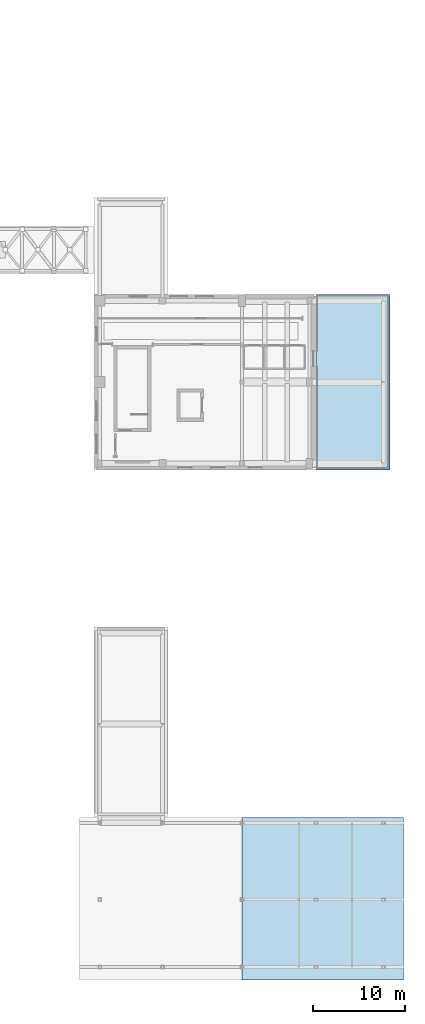
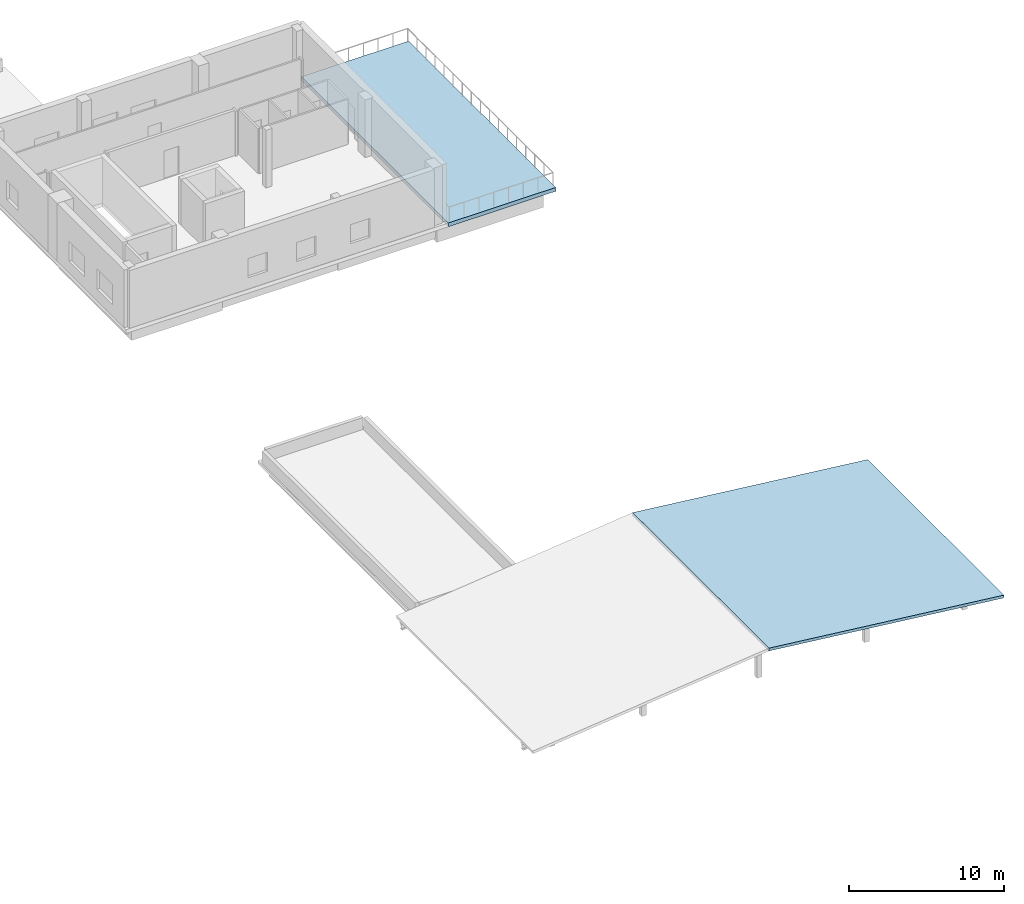
# One storey, part 27 of 49: 2 slabs.
"""IFC4 building model written with IfcOpenShell, lengths in metres."""

from ifc_helpers import new_model, si_unit, direction, frame, origin, place, context, subcontext, project, spatial, polyline, outline, extrude, material, layer, layer_set, type_object, element, save


model = new_model("IFC4")

# Units and contexts
model_context = context("Model", 3, precision=1e-05, world=origin(), true_north=direction((0.0, 1.0)))
body_context = subcontext(model_context, "Body", "Model", "MODEL_VIEW")
ifc_project = project(units=[si_unit("LENGTHUNIT", "METRE"), si_unit("AREAUNIT", "SQUARE_METRE"), si_unit("VOLUMEUNIT", "CUBIC_METRE"), si_unit("PLANEANGLEUNIT", "RADIAN"), si_unit("MASSUNIT", "GRAM", prefix="KILO")], contexts=[model_context])

# Site, building, storey
site_placement = place(None, origin())
site = spatial("IfcSite", under=ifc_project, at=site_placement, CompositionType="ELEMENT")
building_placement = place(site_placement, origin())
building = spatial("IfcBuilding", under=site, at=building_placement, Name="Soyqirgoq Riverine Aquarium", CompositionType="ELEMENT")
storey_placement = place(building_placement, frame((0.0, 0.0, 15.0)))
storey = spatial("IfcBuildingStorey", under=building, at=storey_placement, Name="L04", CompositionType="ELEMENT", Elevation=15.0)

# Slabs
ifc_material_1 = material(Name="Concrete C35/45", Category="concrete")
ifc_layer_1 = layer(ifc_material_1, 0.219970703125)
ifc_layer_set_1 = layer_set([ifc_layer_1], Name="Concrete C35/45")
slab_type_1 = type_object("IfcSlabType", Name="PrairieRoof_220_C35", PredefinedType="ROOF", material=ifc_layer_set_1)
slab_1_placement = place(storey_placement, frame((138.0, 0.800048828125, 2.800048828125), z_axis=(0.110740441619, 0.0, 0.993849362122), x_axis=(0.993849362122, 0.0, -0.110740441619)))
element("IfcSlab", 1, at=slab_1_placement, inside=storey, type_object=slab_type_1, Name="V6 East Sloped Prairie Eave Roof", PredefinedType="ROOF", context=body_context, shape_type="SweptSolid", body=[
    extrude(outline(polyline([(0.0, 0.0), (17.608302291041483, 0.0), (17.608302291041483, 17.599853515625), (0.0, 17.599853515625), (0.0, 0.0)])), origin(), (0.0, 0.0, -1.0), 0.219970703125),
])
ifc_material_2 = material(Name="Concrete C40/50", Category="concrete")
ifc_layer_2 = layer(ifc_material_2, 0.300048828125)
ifc_layer_set_2 = layer_set([ifc_layer_2], Name="Concrete C40/50")
slab_type_2 = type_object("IfcSlabType", Name="TerraceSlab_300_C40", PredefinedType="FLOOR", material=ifc_layer_set_2)
slab_2_placement = place(storey_placement, frame((0.0, 0.0, -0.300048828125)))
element("IfcSlab", 2, at=slab_2_placement, inside=storey, type_object=slab_type_2, Name="V7 L04 Planted Roof Garden Terrace Slab", PredefinedType="FLOOR", context=body_context, shape_type="SweptSolid", body=[
    extrude(outline(polyline([(146.0, 56.0), (154.0, 56.0), (154.0, 75.0), (146.0, 75.0), (146.0, 56.0)])), origin(), (0.0, 0.0, 1.0), 0.300048828125),
])

save(model, "model.ifc")
